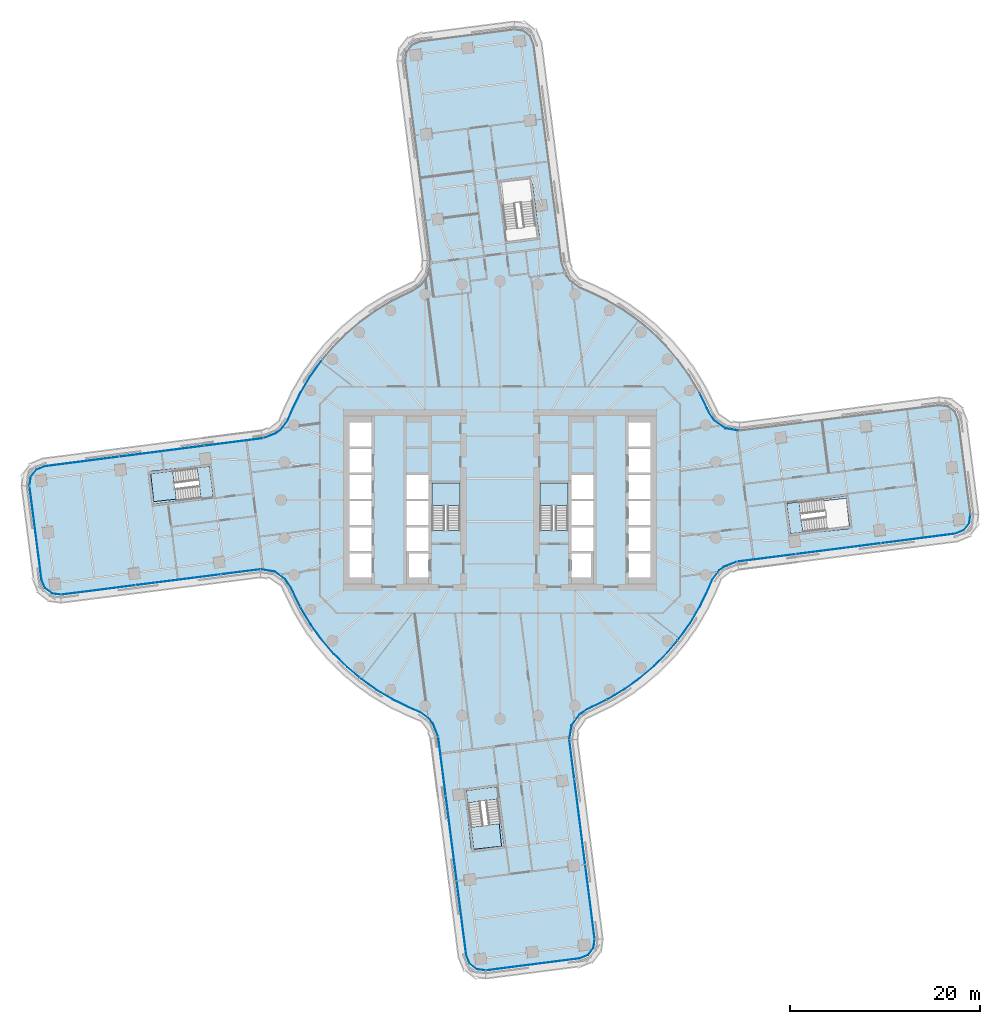
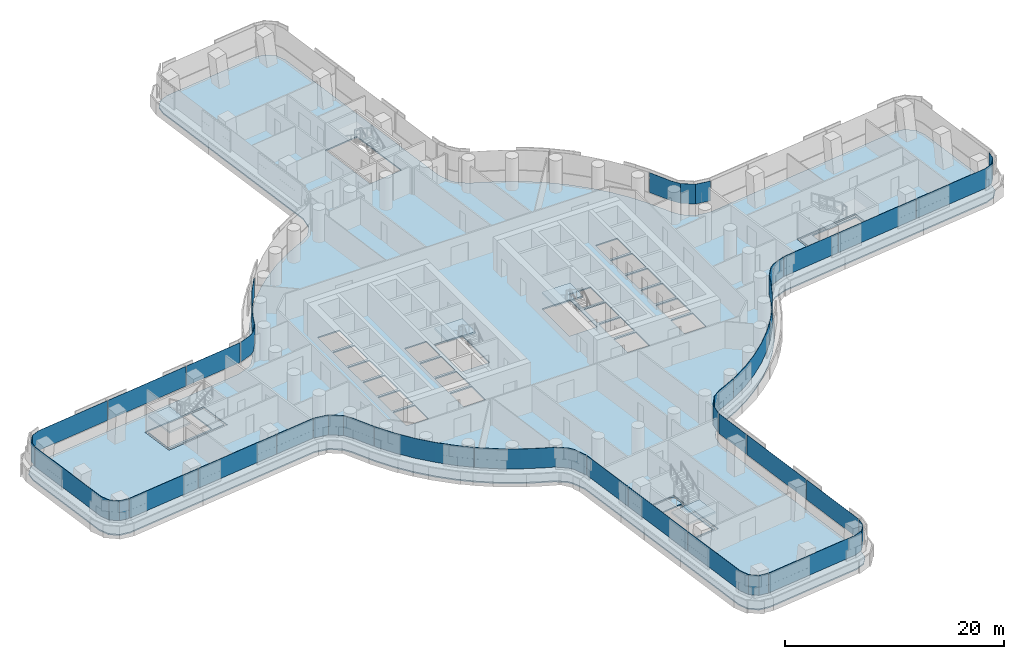
# One storey, part 17 of 31: 25 plates, 8 slabs, 15 elements without a shape of their own.
"""IFC4 building model written with IfcOpenShell, lengths in metres."""

from ifc_helpers import new_model, si_unit, direction, frame, origin, place, context, subcontext, project, spatial, polyline, outline, extrude, material, layer, layer_set, type_object, element, aggregate, save


model = new_model("IFC4")

# Units and contexts
model_context = context("Model", 3, precision=1e-05, world=origin(), true_north=direction((0.0, 1.0)))
body_context = subcontext(model_context, "Body", "Model", "MODEL_VIEW")
ifc_project = project(units=[si_unit("LENGTHUNIT", "METRE"), si_unit("AREAUNIT", "SQUARE_METRE"), si_unit("VOLUMEUNIT", "CUBIC_METRE"), si_unit("PLANEANGLEUNIT", "RADIAN"), si_unit("MASSUNIT", "GRAM", prefix="KILO")], contexts=[model_context])

# Site, building, storey
site_placement = place(None, origin())
site = spatial("IfcSite", under=ifc_project, at=site_placement, CompositionType="ELEMENT")
building_placement = place(site_placement, origin())
building = spatial("IfcBuilding", under=site, at=building_placement, Name="Tamarind Cross Interchange Tower", CompositionType="ELEMENT")
storey_placement = place(building_placement, frame((0.0, 0.0, 60.25)))
storey = spatial("IfcBuildingStorey", under=building, at=storey_placement, Name="L13", CompositionType="ELEMENT", Elevation=60.25)

# Slabs
ifc_material_1 = material(Name="Concrete C35", Category="concrete")
ifc_layer_1 = layer(ifc_material_1, 0.139892578125)
ifc_layer_set_1 = layer_set([ifc_layer_1], Name="Concrete C35")
slab_type_1 = type_object("IfcSlabType", Name="Composite slab 140 Concrete C35", PredefinedType="FLOOR", material=ifc_layer_set_1)
slab_1_placement = place(storey_placement, frame((0.0, 0.0, -0.139892578125)))
element("IfcSlab", 1, at=slab_1_placement, inside=storey, type_object=slab_type_1, Name="Floor slab L13", PredefinedType="FLOOR", context=body_context, shape_type="SweptSolid", body=[
    extrude(outline(polyline([(-23.587890625, 7.205322265625), (-24.937255859375, 6.680419921875), (-47.89501953125, 3.73388671875), (-48.852783203125, 3.3408203125), (-49.485595703125, 2.521484375), (-49.624267578125, 1.49560546875), (-48.351318359375, -8.423095703125), (-47.9580078125, -9.380859375), (-47.138916015625, -10.013671875), (-46.11279296875, -10.152099609375), (-25.154052734375, -7.48681640625), (-23.763427734375, -7.71240234375), (-22.69873046875, -8.45458984375), (-22.1494140625, -9.269775390625), (-21.93310546875, -9.7333984375), (-21.054443359375, -11.511474609375), (-20.031982421875, -13.2109375), (-18.87255859375, -14.820068359375), (-17.584228515625, -16.327880859375), (-16.17578125, -17.72412109375), (-14.656982421875, -18.99951171875), (-13.0380859375, -20.14501953125), (-11.329833984375, -21.15283203125), (-9.54443359375, -22.01611328125), (-8.47509765625, -22.471435546875), (-7.525146484375, -23.178466796875), (-7.205322265625, -23.587890625), (-6.680419921875, -24.937255859375), (-3.73388671875, -47.89501953125), (-3.3408203125, -48.852783203125), (-2.521484375, -49.485595703125), (-1.49560546875, -49.624267578125), (8.423095703125, -48.351318359375), (9.380859375, -47.9580078125), (10.013671875, -47.138916015625), (10.152099609375, -46.11279296875), (7.48681640625, -25.154052734375), (7.71240234375, -23.763427734375), (8.45458984375, -22.69873046875), (9.269775390625, -22.1494140625), (9.7333984375, -21.93310546875), (11.511474609375, -21.054443359375), (13.2109375, -20.031982421875), (14.820068359375, -18.87255859375), (16.327880859375, -17.584228515625), (17.72412109375, -16.17578125), (18.99951171875, -14.656982421875), (20.14501953125, -13.0380859375), (21.15283203125, -11.329833984375), (22.01611328125, -9.54443359375), (22.471435546875, -8.47509765625), (23.178466796875, -7.525146484375), (23.587890625, -7.205322265625), (24.937255859375, -6.680419921875), (47.89501953125, -3.73388671875), (48.852783203125, -3.3408203125), (49.485595703125, -2.521484375), (49.624267578125, -1.49560546875), (48.351318359375, 8.423095703125), (47.9580078125, 9.380859375), (47.138916015625, 10.013671875), (46.11279296875, 10.152099609375), (25.154052734375, 7.48681640625), (23.763427734375, 7.71240234375), (22.69873046875, 8.45458984375), (22.1494140625, 9.269775390625), (21.93310546875, 9.7333984375), (21.054443359375, 11.511474609375), (20.031982421875, 13.2109375), (18.87255859375, 14.820068359375), (17.584228515625, 16.327880859375), (16.17578125, 17.72412109375), (14.656982421875, 18.99951171875), (13.0380859375, 20.14501953125), (11.329833984375, 21.15283203125), (9.54443359375, 22.01611328125), (8.47509765625, 22.471435546875), (7.525146484375, 23.178466796875), (7.205322265625, 23.587890625), (6.680419921875, 24.937255859375), (3.73388671875, 47.89501953125), (3.3408203125, 48.852783203125), (2.521484375, 49.485595703125), (1.49560546875, 49.624267578125), (-8.423095703125, 48.351318359375), (-9.380859375, 47.9580078125), (-10.013671875, 47.138916015625), (-10.152099609375, 46.11279296875), (-7.48681640625, 25.154052734375), (-7.71240234375, 23.763427734375), (-8.45458984375, 22.69873046875), (-9.269775390625, 22.1494140625), (-9.7333984375, 21.93310546875), (-11.511474609375, 21.054443359375), (-13.2109375, 20.031982421875), (-14.820068359375, 18.87255859375), (-16.327880859375, 17.584228515625), (-17.72412109375, 16.17578125), (-18.99951171875, 14.656982421875), (-20.14501953125, 13.0380859375), (-21.15283203125, 11.329833984375), (-22.01611328125, 9.54443359375), (-22.471435546875, 8.47509765625), (-23.178466796875, 7.525146484375), (-23.587890625, 7.205322265625)]), holes=[polyline([(-13.5, -8.125), (-15.800048828125, -8.125), (-15.800048828125, -5.625), (-13.5, -5.625), (-13.5, -8.125)]), polyline([(-13.5, -5.375), (-15.800048828125, -5.375), (-15.800048828125, -2.875), (-13.5, -2.875), (-13.5, -5.375)]), polyline([(-7.5, -5.375), (-9.800048828125, -5.375), (-9.800048828125, -2.875), (-7.5, -2.875), (-7.5, -5.375)]), polyline([(-15.800048828125, -2.625), (-15.800048828125, -0.125), (-13.5, -0.125), (-13.5, -2.625), (-15.800048828125, -2.625)]), polyline([(-9.800048828125, -2.625), (-9.800048828125, -0.125), (-7.5, -0.125), (-7.5, -2.625), (-9.800048828125, -2.625)]), polyline([(-29.889404296875, 0.197265625), (-36.534912109375, -0.655517578125), (-36.560302734375, -0.457275390625), (-36.967529296875, 2.716796875), (-36.9931640625, 2.9150390625), (-36.710205078125, 2.951416015625), (-36.716796875, 3.010986328125), (-33.44677734375, 3.3701171875), (-30.34765625, 3.76806640625), (-30.322021484375, 3.569580078125), (-29.914794921875, 0.395751953125), (-29.889404296875, 0.197265625)]), polyline([(-13.5, 0.125), (-15.800048828125, 0.125), (-15.800048828125, 2.625), (-13.5, 2.625), (-13.5, 0.125)]), polyline([(-9.800048828125, 0.125), (-9.800048828125, 2.625), (-7.5, 2.625), (-7.5, 0.125), (-9.800048828125, 0.125)]), polyline([(-13.5, 2.875), (-15.800048828125, 2.875), (-15.800048828125, 5.375), (-13.5, 5.375), (-13.5, 2.875)]), polyline([(-15.800048828125, 5.625), (-15.800048828125, 8.125), (-13.5, 8.125), (-13.5, 5.625), (-15.800048828125, 5.625)]), polyline([(-0.197265625, -29.889404296875), (0.655517578125, -36.534912109375), (0.457275390625, -36.560302734375), (-2.716796875, -36.967529296875), (-2.9150390625, -36.9931640625), (-2.951416015625, -36.710205078125), (-3.010986328125, -36.716796875), (-3.3701171875, -33.44677734375), (-3.76806640625, -30.34765625), (-3.569580078125, -30.322021484375), (-0.395751953125, -29.914794921875), (-0.197265625, -29.889404296875)]), polyline([(-9.800048828125, -8.125), (-9.800048828125, -5.625), (-7.5, -5.625), (-7.5, -8.125), (-9.800048828125, -8.125)]), polyline([(9.800048828125, -2.875), (9.800048828125, -5.375), (7.5, -5.375), (7.5, -2.875), (9.800048828125, -2.875)]), polyline([(-4.199951171875, 1.800048828125), (-4.199951171875, -3.18798828125), (-7.14990234375, -3.18798828125), (-7.14990234375, 1.800048828125), (-4.199951171875, 1.800048828125)]), polyline([(7.14990234375, 1.800048828125), (7.14990234375, -3.18798828125), (4.199951171875, -3.18798828125), (4.199951171875, 1.800048828125), (7.14990234375, 1.800048828125)]), polyline([(4.14990234375, 27.3720703125), (3.951416015625, 27.346435546875), (0.777587890625, 26.939208984375), (0.5791015625, 26.913818359375), (-0.273681640625, 33.55908203125), (-0.0751953125, 33.584716796875), (3.0986328125, 33.991943359375), (3.297119140625, 34.017578125), (3.33349609375, 33.734130859375), (3.338623046875, 33.734619140625), (3.3701171875, 33.44677734375), (4.14990234375, 27.3720703125)]), polyline([(7.5, -5.625), (9.800048828125, -5.625), (9.800048828125, -8.125), (7.5, -8.125), (7.5, -5.625)]), polyline([(15.800048828125, -5.625), (15.800048828125, -8.125), (13.5, -8.125), (13.5, -5.625), (15.800048828125, -5.625)]), polyline([(15.800048828125, -2.875), (15.800048828125, -5.375), (13.5, -5.375), (13.5, -2.875), (15.800048828125, -2.875)]), polyline([(30.34765625, -3.76806640625), (30.322021484375, -3.569580078125), (29.914794921875, -0.395751953125), (29.889404296875, -0.197265625), (36.534912109375, 0.655517578125), (36.560302734375, 0.457275390625), (36.967529296875, -2.716796875), (36.9931640625, -2.9150390625), (36.710205078125, -2.951416015625), (36.716796875, -3.010986328125), (33.44677734375, -3.3701171875), (30.34765625, -3.76806640625)]), polyline([(9.800048828125, -0.125), (9.800048828125, -2.625), (7.5, -2.625), (7.5, -0.125), (9.800048828125, -0.125)]), polyline([(15.800048828125, -0.125), (15.800048828125, -2.625), (13.5, -2.625), (13.5, -0.125), (15.800048828125, -0.125)]), polyline([(9.800048828125, 2.625), (9.800048828125, 0.125), (7.5, 0.125), (7.5, 2.625), (9.800048828125, 2.625)]), polyline([(13.5, 2.625), (15.800048828125, 2.625), (15.800048828125, 0.125), (13.5, 0.125), (13.5, 2.625)]), polyline([(15.800048828125, 5.375), (15.800048828125, 2.875), (13.5, 2.875), (13.5, 5.375), (15.800048828125, 5.375)]), polyline([(15.800048828125, 8.125), (15.800048828125, 5.625), (13.5, 5.625), (13.5, 8.125), (15.800048828125, 8.125)])]), origin(), (0.0, 0.0, 1.0), 0.139892578125),
])
slab_2_placement = place(storey_placement, frame((0.0, 0.0, -0.139892578125)))
element("IfcSlab", 2, at=slab_2_placement, inside=storey, type_object=slab_type_1, Name="Floor slab L13", PredefinedType="FLOOR", context=body_context, shape_type="SweptSolid", body=[
    extrude(outline(polyline([(-36.769287109375, 2.7421875), (-36.36181640625, -0.431884765625), (-30.113037109375, 0.3701171875), (-30.5205078125, 3.544189453125), (-31.82177734375, 3.377197265625), (-31.43603515625, 0.371826171875), (-36.367431640625, -0.169921875), (-36.6884765625, 2.752685546875), (-36.769287109375, 2.7421875)])), origin(), (0.0, 0.0, 1.0), 0.139892578125),
])
slab_3_placement = place(storey_placement, frame((0.0, 0.0, -0.139892578125)))
element("IfcSlab", 3, at=slab_3_placement, inside=storey, type_object=slab_type_1, Name="Floor slab L13", PredefinedType="FLOOR", context=body_context, shape_type="SweptSolid", body=[
    extrude(outline(polyline([(-2.7421875, -36.769287109375), (0.431884765625, -36.36181640625), (-0.3701171875, -30.113037109375), (-3.544189453125, -30.5205078125), (-3.377197265625, -31.82177734375), (-0.371826171875, -31.43603515625), (0.169921875, -36.367431640625), (-2.752685546875, -36.6884765625), (-2.7421875, -36.769287109375)])), origin(), (0.0, 0.0, 1.0), 0.139892578125),
])
slab_4_placement = place(storey_placement, frame((0.0, 0.0, -0.139892578125)))
element("IfcSlab", 4, at=slab_4_placement, inside=storey, type_object=slab_type_1, Name="Floor slab L13", PredefinedType="FLOOR", context=body_context, shape_type="SweptSolid", body=[
    extrude(outline(polyline([(36.769287109375, -2.7421875), (36.36181640625, 0.431884765625), (30.113037109375, -0.3701171875), (30.5205078125, -3.544189453125), (31.82177734375, -3.377197265625), (31.43603515625, -0.371826171875), (36.367431640625, 0.169921875), (36.6884765625, -2.752685546875), (36.769287109375, -2.7421875)])), origin(), (0.0, 0.0, 1.0), 0.139892578125),
])

# Stair, slab
ifc_material_2 = material(Name="Exit stair")
stair_type = type_object("IfcStairType", Name="Exit stair", PredefinedType="HALF_TURN_STAIR", material=ifc_material_2)
stair_1_placement = place(storey_placement, origin())
stair_1 = element("IfcStair", 5, at=stair_1_placement, inside=storey, type_object=stair_type, Name="L13 exit stair ST1", PredefinedType="HALF_TURN_STAIR")
ifc_material_3 = material(Name="Concrete C40", Category="concrete")
ifc_layer_2 = layer(ifc_material_3, 0.199951171875)
ifc_layer_set_2 = layer_set([ifc_layer_2], Name="Concrete C40")
slab_type_2 = type_object("IfcSlabType", Name="Stair landing", PredefinedType="LANDING", material=ifc_layer_set_2)
slab_5_placement = place(storey_placement, frame((0.0, 0.0, 1.675048828125)))
slab_5 = element("IfcSlab", 6, at=slab_5_placement, type_object=slab_type_2, Name="ST1 landing 1", PredefinedType="LANDING", context=body_context, shape_type="SweptSolid", body=[
    extrude(outline(polyline([(-4.199951171875, -0.60009765625), (-4.199951171875, 1.800048828125), (-7.14990234375, 1.800048828125), (-7.14990234375, -0.60009765625), (-4.199951171875, -0.60009765625)])), origin(), (0.0, 0.0, 1.0), 0.199951171875),
])
aggregate(stair_1, [slab_5])

stair_2_placement = place(storey_placement, origin())
stair_2 = element("IfcStair", 7, at=stair_2_placement, inside=storey, type_object=stair_type, Name="L13 exit stair ST2", PredefinedType="HALF_TURN_STAIR")
slab_6_placement = place(storey_placement, frame((0.0, 0.0, 1.675048828125)))
slab_6 = element("IfcSlab", 8, at=slab_6_placement, type_object=slab_type_2, Name="ST2 landing 1", PredefinedType="LANDING", context=body_context, shape_type="SweptSolid", body=[
    extrude(outline(polyline([(7.14990234375, -0.60009765625), (7.14990234375, 1.800048828125), (4.199951171875, 1.800048828125), (4.199951171875, -0.60009765625), (7.14990234375, -0.60009765625)])), origin(), (0.0, 0.0, 1.0), 0.199951171875),
])
aggregate(stair_2, [slab_6])

stair_3_placement = place(storey_placement, origin())
stair_3 = element("IfcStair", 9, at=stair_3_placement, inside=storey, type_object=stair_type, Name="L13 exit stair ST5", PredefinedType="HALF_TURN_STAIR")
slab_7_placement = place(storey_placement, frame((0.0, 0.0, 1.675048828125)))
slab_7 = element("IfcSlab", 10, at=slab_7_placement, type_object=slab_type_2, Name="ST5 landing 1", PredefinedType="LANDING", context=body_context, shape_type="SweptSolid", body=[
    extrude(outline(polyline([(-34.376953125, 3.04931640625), (-36.769287109375, 2.7421875), (-36.36181640625, -0.431884765625), (-33.969482421875, -0.124755859375), (-34.376953125, 3.04931640625)])), origin(), (0.0, 0.0, 1.0), 0.199951171875),
])
aggregate(stair_3, [slab_7])

stair_4_placement = place(storey_placement, origin())
stair_4 = element("IfcStair", 11, at=stair_4_placement, inside=storey, type_object=stair_type, Name="L13 exit stair ST6", PredefinedType="HALF_TURN_STAIR")
slab_8_placement = place(storey_placement, frame((0.0, 0.0, 1.675048828125)))
slab_8 = element("IfcSlab", 12, at=slab_8_placement, type_object=slab_type_2, Name="ST6 landing 1", PredefinedType="LANDING", context=body_context, shape_type="SweptSolid", body=[
    extrude(outline(polyline([(-3.04931640625, -34.376953125), (-2.7421875, -36.769287109375), (0.431884765625, -36.36181640625), (0.124755859375, -33.969482421875), (-3.04931640625, -34.376953125)])), origin(), (0.0, 0.0, 1.0), 0.199951171875),
])
aggregate(stair_4, [slab_8])

# Curtain wall, plate
ifc_material_4 = material(Name="Aluminium 6063-T6", Category="aluminium")
ifc_layer_3 = layer(ifc_material_4, 0.159912109375)
ifc_layer_set_3 = layer_set([ifc_layer_3], Name="Aluminium 6063-T6")
curtain_wall_type = type_object("IfcCurtainWallType", Name="Office curtain wall, 9.0 m bays", PredefinedType="NOTDEFINED", material=ifc_layer_set_3)
curtain_wall_1_placement = place(storey_placement, origin())
curtain_wall_1 = element("IfcCurtainWall", 13, at=curtain_wall_1_placement, inside=storey, type_object=curtain_wall_type, Name="CWS-L13-00", PredefinedType="NOTDEFINED")
ifc_material_5 = material(Name="Laminated low-e glass 8+1.52+8", Category="glass")
ifc_layer_4 = layer(ifc_material_5, 0.028076171875)
ifc_layer_set_4 = layer_set([ifc_layer_4], Name="Laminated low-e glass 8+1.52+8")
plate_type = type_object("IfcPlateType", Name="Vision panel CW1", PredefinedType="CURTAIN_PANEL", material=ifc_layer_set_4)
plate_1_placement = place(storey_placement, frame((0.0, 0.0, 1.39990234375)))
plate_1 = element("IfcPlate", 14, at=plate_1_placement, type_object=plate_type, Name="CWP-L13-00-00", PredefinedType="CURTAIN_PANEL", context=body_context, shape_type="SweptSolid", body=[
    extrude(outline(polyline([(-49.40478515625, 1.467041015625), (-48.142578125, -8.367919921875), (-47.781982421875, -9.24658203125), (-47.053466796875, -9.809326171875), (-46.139892578125, -9.9326171875), (-46.143798828125, -9.960205078125), (-47.064453125, -9.8359375), (-47.804931640625, -9.26416015625), (-48.169921875, -8.375), (-49.4326171875, 1.46337890625), (-49.40478515625, 1.467041015625)])), origin(), (0.0, 0.0, 1.0), 2.210205078125),
])
aggregate(curtain_wall_1, [plate_1])

# Curtain wall, plates
curtain_wall_2_placement = place(storey_placement, origin())
curtain_wall_2 = element("IfcCurtainWall", 15, at=curtain_wall_2_placement, inside=storey, type_object=curtain_wall_type, Name="CWS-L13-01", PredefinedType="NOTDEFINED")
plate_2_placement = place(storey_placement, frame((0.0, 0.0, 1.39990234375)))
plate_2 = element("IfcPlate", 16, at=plate_2_placement, type_object=plate_type, Name="CWP-L13-01-00", PredefinedType="CURTAIN_PANEL", context=body_context, shape_type="SweptSolid", body=[
    extrude(outline(polyline([(-46.083984375, -9.932861328125), (-38.296875, -8.9423828125), (-38.293212890625, -8.97021484375), (-46.08056640625, -9.96044921875), (-46.083984375, -9.932861328125)])), origin(), (0.0, 0.0, 1.0), 2.210205078125),
])
plate_3_placement = place(storey_placement, frame((0.0, 0.0, 1.39990234375)))
plate_3 = element("IfcPlate", 17, at=plate_3_placement, type_object=plate_type, Name="CWP-L13-01-01", PredefinedType="CURTAIN_PANEL", context=body_context, shape_type="SweptSolid", body=[
    extrude(outline(polyline([(-38.2373046875, -8.934814453125), (-29.36767578125, -7.806884765625), (-29.364013671875, -7.834716796875), (-38.233642578125, -8.962646484375), (-38.2373046875, -8.934814453125)])), origin(), (0.0, 0.0, 1.0), 2.210205078125),
])
plate_4_placement = place(storey_placement, frame((0.0, 0.0, 1.39990234375)))
plate_4 = element("IfcPlate", 18, at=plate_4_placement, type_object=plate_type, Name="CWP-L13-01-02", PredefinedType="CURTAIN_PANEL", context=body_context, shape_type="SweptSolid", body=[
    extrude(outline(polyline([(-29.30810546875, -7.79931640625), (-25.18212890625, -7.2744140625), (-25.178466796875, -7.30224609375), (-29.304443359375, -7.8271484375), (-29.30810546875, -7.79931640625)])), origin(), (0.0, 0.0, 1.0), 2.210205078125),
])
aggregate(curtain_wall_2, [plate_2, plate_3, plate_4])

curtain_wall_3_placement = place(storey_placement, origin())
curtain_wall_3 = element("IfcCurtainWall", 19, at=curtain_wall_3_placement, inside=storey, type_object=curtain_wall_type, Name="CWS-L13-02", PredefinedType="NOTDEFINED")
plate_5_placement = place(storey_placement, frame((0.0, 0.0, 1.39990234375)))
plate_5 = element("IfcPlate", 20, at=plate_5_placement, type_object=plate_type, Name="CWP-L13-02-00", PredefinedType="CURTAIN_PANEL", context=body_context, shape_type="SweptSolid", body=[
    extrude(outline(polyline([(-25.11865234375, -7.275634765625), (-23.680908203125, -7.509033203125), (-22.543701171875, -8.3017578125), (-21.96240234375, -9.1640625), (-21.740234375, -9.640869140625), (-20.97509765625, -11.189208984375), (-21.000244140625, -11.201416015625), (-21.765380859375, -9.653076171875), (-21.987060546875, -9.177734375), (-22.56396484375, -8.32177734375), (-23.69189453125, -7.53564453125), (-25.123291015625, -7.30322265625), (-25.11865234375, -7.275634765625)])), origin(), (0.0, 0.0, 1.0), 2.210205078125),
])
plate_6_placement = place(storey_placement, frame((0.0, 0.0, 1.39990234375)))
plate_6 = element("IfcPlate", 21, at=plate_6_placement, type_object=plate_type, Name="CWP-L13-02-01", PredefinedType="CURTAIN_PANEL", context=body_context, shape_type="SweptSolid", body=[
    extrude(outline(polyline([(-20.948486328125, -11.242919921875), (-20.866455078125, -11.40869140625), (-19.85302734375, -13.093017578125), (-18.7041015625, -14.687744140625), (-17.42724609375, -16.18212890625), (-16.031494140625, -17.56591796875), (-14.757568359375, -18.635498046875), (-14.775634765625, -18.656982421875), (-16.05029296875, -17.586669921875), (-17.44775390625, -16.201171875), (-18.72607421875, -14.705078125), (-19.87646484375, -13.1083984375), (-20.89111328125, -11.422119140625), (-20.9736328125, -11.25537109375), (-20.948486328125, -11.242919921875)])), origin(), (0.0, 0.0, 1.0), 2.210205078125),
])
plate_7_placement = place(storey_placement, frame((0.0, 0.0, 1.39990234375)))
plate_7 = element("IfcPlate", 22, at=plate_7_placement, type_object=plate_type, Name="CWP-L13-02-02", PredefinedType="CURTAIN_PANEL", context=body_context, shape_type="SweptSolid", body=[
    extrude(outline(polyline([(-14.711669921875, -18.674072265625), (-14.526123046875, -18.829833984375), (-12.921630859375, -19.965087890625), (-11.228759765625, -20.9638671875), (-9.455810546875, -21.8212890625), (-8.36767578125, -22.28466796875), (-7.374267578125, -23.02392578125), (-7.017333984375, -23.48095703125), (-6.48291015625, -24.8544921875), (-6.509033203125, -24.86474609375), (-7.041748046875, -23.494873046875), (-7.39404296875, -23.044189453125), (-8.3818359375, -22.30908203125), (-9.467529296875, -21.8466796875), (-11.241943359375, -20.98876953125), (-12.936767578125, -19.988525390625), (-14.543212890625, -18.85205078125), (-14.729736328125, -18.695556640625), (-14.711669921875, -18.674072265625)])), origin(), (0.0, 0.0, 1.0), 2.210205078125),
])
aggregate(curtain_wall_3, [plate_5, plate_6, plate_7])

curtain_wall_4_placement = place(storey_placement, origin())
curtain_wall_4 = element("IfcCurtainWall", 23, at=curtain_wall_4_placement, inside=storey, type_object=curtain_wall_type, Name="CWS-L13-03", PredefinedType="NOTDEFINED")
plate_8_placement = place(storey_placement, frame((0.0, 0.0, 1.39990234375)))
plate_8 = element("IfcPlate", 24, at=plate_8_placement, type_object=plate_type, Name="CWP-L13-03-00", PredefinedType="CURTAIN_PANEL", context=body_context, shape_type="SweptSolid", body=[
    extrude(outline(polyline([(-6.467529296875, -24.91552734375), (-5.68115234375, -31.041748046875), (-5.708984375, -31.04541015625), (-6.4951171875, -24.919189453125), (-6.467529296875, -24.91552734375)])), origin(), (0.0, 0.0, 1.0), 2.210205078125),
])
plate_9_placement = place(storey_placement, frame((0.0, 0.0, 1.39990234375)))
plate_9 = element("IfcPlate", 25, at=plate_9_placement, type_object=plate_type, Name="CWP-L13-03-01", PredefinedType="CURTAIN_PANEL", context=body_context, shape_type="SweptSolid", body=[
    extrude(outline(polyline([(-5.673583984375, -31.101318359375), (-4.53564453125, -39.9677734375), (-4.5634765625, -39.971435546875), (-5.701416015625, -31.10498046875), (-5.673583984375, -31.101318359375)])), origin(), (0.0, 0.0, 1.0), 2.210205078125),
])
plate_10_placement = place(storey_placement, frame((0.0, 0.0, 1.39990234375)))
plate_10 = element("IfcPlate", 26, at=plate_10_placement, type_object=plate_type, Name="CWP-L13-03-02", PredefinedType="CURTAIN_PANEL", context=body_context, shape_type="SweptSolid", body=[
    extrude(outline(polyline([(-4.52783203125, -40.02734375), (-3.525146484375, -47.83984375), (-3.16455078125, -48.718505859375), (-2.43603515625, -49.28125), (-1.522705078125, -49.404541015625), (-1.526611328125, -49.432373046875), (-2.447265625, -49.30810546875), (-3.187744140625, -48.736083984375), (-3.552490234375, -47.84716796875), (-4.5556640625, -40.031005859375), (-4.52783203125, -40.02734375)])), origin(), (0.0, 0.0, 1.0), 2.210205078125),
])
aggregate(curtain_wall_4, [plate_8, plate_9, plate_10])

# Curtain wall, plate
curtain_wall_5_placement = place(storey_placement, origin())
curtain_wall_5 = element("IfcCurtainWall", 27, at=curtain_wall_5_placement, inside=storey, type_object=curtain_wall_type, Name="CWS-L13-04", PredefinedType="NOTDEFINED")
plate_11_placement = place(storey_placement, frame((0.0, 0.0, 1.39990234375)))
plate_11 = element("IfcPlate", 28, at=plate_11_placement, type_object=plate_type, Name="CWP-L13-04-00", PredefinedType="CURTAIN_PANEL", context=body_context, shape_type="SweptSolid", body=[
    extrude(outline(polyline([(-1.467041015625, -49.40478515625), (8.367919921875, -48.142578125), (9.24658203125, -47.781982421875), (9.809326171875, -47.053466796875), (9.9326171875, -46.139892578125), (9.960205078125, -46.143798828125), (9.8359375, -47.064453125), (9.26416015625, -47.804931640625), (8.375, -48.169921875), (-1.46337890625, -49.4326171875), (-1.467041015625, -49.40478515625)])), origin(), (0.0, 0.0, 1.0), 2.210205078125),
])
aggregate(curtain_wall_5, [plate_11])

# Curtain wall, plates
curtain_wall_6_placement = place(storey_placement, origin())
curtain_wall_6 = element("IfcCurtainWall", 29, at=curtain_wall_6_placement, inside=storey, type_object=curtain_wall_type, Name="CWS-L13-05", PredefinedType="NOTDEFINED")
plate_12_placement = place(storey_placement, frame((0.0, 0.0, 1.39990234375)))
plate_12 = element("IfcPlate", 30, at=plate_12_placement, type_object=plate_type, Name="CWP-L13-05-00", PredefinedType="CURTAIN_PANEL", context=body_context, shape_type="SweptSolid", body=[
    extrude(outline(polyline([(9.932861328125, -46.083984375), (8.9423828125, -38.296875), (8.97021484375, -38.293212890625), (9.96044921875, -46.08056640625), (9.932861328125, -46.083984375)])), origin(), (0.0, 0.0, 1.0), 2.210205078125),
])
plate_13_placement = place(storey_placement, frame((0.0, 0.0, 1.39990234375)))
plate_13 = element("IfcPlate", 31, at=plate_13_placement, type_object=plate_type, Name="CWP-L13-05-01", PredefinedType="CURTAIN_PANEL", context=body_context, shape_type="SweptSolid", body=[
    extrude(outline(polyline([(8.934814453125, -38.2373046875), (7.806884765625, -29.36767578125), (7.834716796875, -29.364013671875), (8.962646484375, -38.233642578125), (8.934814453125, -38.2373046875)])), origin(), (0.0, 0.0, 1.0), 2.210205078125),
])
plate_14_placement = place(storey_placement, frame((0.0, 0.0, 1.39990234375)))
plate_14 = element("IfcPlate", 32, at=plate_14_placement, type_object=plate_type, Name="CWP-L13-05-02", PredefinedType="CURTAIN_PANEL", context=body_context, shape_type="SweptSolid", body=[
    extrude(outline(polyline([(7.79931640625, -29.30810546875), (7.2744140625, -25.18212890625), (7.30224609375, -25.178466796875), (7.8271484375, -29.304443359375), (7.79931640625, -29.30810546875)])), origin(), (0.0, 0.0, 1.0), 2.210205078125),
])
aggregate(curtain_wall_6, [plate_12, plate_13, plate_14])

curtain_wall_7_placement = place(storey_placement, origin())
curtain_wall_7 = element("IfcCurtainWall", 33, at=curtain_wall_7_placement, inside=storey, type_object=curtain_wall_type, Name="CWS-L13-06", PredefinedType="NOTDEFINED")
plate_15_placement = place(storey_placement, frame((0.0, 0.0, 1.39990234375)))
plate_15 = element("IfcPlate", 34, at=plate_15_placement, type_object=plate_type, Name="CWP-L13-06-00", PredefinedType="CURTAIN_PANEL", context=body_context, shape_type="SweptSolid", body=[
    extrude(outline(polyline([(7.275634765625, -25.11865234375), (7.509033203125, -23.680908203125), (8.3017578125, -22.543701171875), (9.1640625, -21.96240234375), (9.640869140625, -21.740234375), (11.189208984375, -20.97509765625), (11.201416015625, -21.000244140625), (9.653076171875, -21.765380859375), (9.177734375, -21.987060546875), (8.32177734375, -22.56396484375), (7.53564453125, -23.69189453125), (7.30322265625, -25.123291015625), (7.275634765625, -25.11865234375)])), origin(), (0.0, 0.0, 1.0), 2.210205078125),
])
plate_16_placement = place(storey_placement, frame((0.0, 0.0, 1.39990234375)))
plate_16 = element("IfcPlate", 35, at=plate_16_placement, type_object=plate_type, Name="CWP-L13-06-01", PredefinedType="CURTAIN_PANEL", context=body_context, shape_type="SweptSolid", body=[
    extrude(outline(polyline([(11.242919921875, -20.948486328125), (11.40869140625, -20.866455078125), (13.093017578125, -19.85302734375), (14.687744140625, -18.7041015625), (16.18212890625, -17.42724609375), (17.56591796875, -16.031494140625), (18.635498046875, -14.757568359375), (18.656982421875, -14.775634765625), (17.586669921875, -16.05029296875), (16.201171875, -17.44775390625), (14.705078125, -18.72607421875), (13.1083984375, -19.87646484375), (11.422119140625, -20.89111328125), (11.25537109375, -20.9736328125), (11.242919921875, -20.948486328125)])), origin(), (0.0, 0.0, 1.0), 2.210205078125),
])
plate_17_placement = place(storey_placement, frame((0.0, 0.0, 1.39990234375)))
plate_17 = element("IfcPlate", 36, at=plate_17_placement, type_object=plate_type, Name="CWP-L13-06-02", PredefinedType="CURTAIN_PANEL", context=body_context, shape_type="SweptSolid", body=[
    extrude(outline(polyline([(18.674072265625, -14.711669921875), (18.829833984375, -14.526123046875), (19.965087890625, -12.921630859375), (20.9638671875, -11.228759765625), (21.8212890625, -9.455810546875), (22.28466796875, -8.36767578125), (23.02392578125, -7.374267578125), (23.48095703125, -7.017333984375), (24.8544921875, -6.48291015625), (24.86474609375, -6.509033203125), (23.494873046875, -7.041748046875), (23.044189453125, -7.39404296875), (22.30908203125, -8.3818359375), (21.8466796875, -9.467529296875), (20.98876953125, -11.241943359375), (19.988525390625, -12.936767578125), (18.85205078125, -14.543212890625), (18.695556640625, -14.729736328125), (18.674072265625, -14.711669921875)])), origin(), (0.0, 0.0, 1.0), 2.210205078125),
])
aggregate(curtain_wall_7, [plate_15, plate_16, plate_17])

curtain_wall_8_placement = place(storey_placement, origin())
curtain_wall_8 = element("IfcCurtainWall", 37, at=curtain_wall_8_placement, inside=storey, type_object=curtain_wall_type, Name="CWS-L13-07", PredefinedType="NOTDEFINED")
plate_18_placement = place(storey_placement, frame((0.0, 0.0, 1.39990234375)))
plate_18 = element("IfcPlate", 38, at=plate_18_placement, type_object=plate_type, Name="CWP-L13-07-00", PredefinedType="CURTAIN_PANEL", context=body_context, shape_type="SweptSolid", body=[
    extrude(outline(polyline([(24.91552734375, -6.467529296875), (31.041748046875, -5.68115234375), (31.04541015625, -5.708984375), (24.919189453125, -6.4951171875), (24.91552734375, -6.467529296875)])), origin(), (0.0, 0.0, 1.0), 2.210205078125),
])
plate_19_placement = place(storey_placement, frame((0.0, 0.0, 1.39990234375)))
plate_19 = element("IfcPlate", 39, at=plate_19_placement, type_object=plate_type, Name="CWP-L13-07-01", PredefinedType="CURTAIN_PANEL", context=body_context, shape_type="SweptSolid", body=[
    extrude(outline(polyline([(31.101318359375, -5.673583984375), (39.9677734375, -4.53564453125), (39.971435546875, -4.5634765625), (31.10498046875, -5.701416015625), (31.101318359375, -5.673583984375)])), origin(), (0.0, 0.0, 1.0), 2.210205078125),
])
plate_20_placement = place(storey_placement, frame((0.0, 0.0, 1.39990234375)))
plate_20 = element("IfcPlate", 40, at=plate_20_placement, type_object=plate_type, Name="CWP-L13-07-02", PredefinedType="CURTAIN_PANEL", context=body_context, shape_type="SweptSolid", body=[
    extrude(outline(polyline([(40.02734375, -4.52783203125), (47.83984375, -3.525146484375), (48.718505859375, -3.16455078125), (49.28125, -2.43603515625), (49.404541015625, -1.522705078125), (49.432373046875, -1.526611328125), (49.30810546875, -2.447265625), (48.736083984375, -3.187744140625), (47.84716796875, -3.552490234375), (40.031005859375, -4.5556640625), (40.02734375, -4.52783203125)])), origin(), (0.0, 0.0, 1.0), 2.210205078125),
])
aggregate(curtain_wall_8, [plate_18, plate_19, plate_20])

# Curtain wall, plate
curtain_wall_9_placement = place(storey_placement, origin())
curtain_wall_9 = element("IfcCurtainWall", 41, at=curtain_wall_9_placement, inside=storey, type_object=curtain_wall_type, Name="CWS-L13-10", PredefinedType="NOTDEFINED")
plate_21_placement = place(storey_placement, frame((0.0, 0.0, 1.39990234375)))
plate_21 = element("IfcPlate", 42, at=plate_21_placement, type_object=plate_type, Name="CWP-L13-10-00", PredefinedType="CURTAIN_PANEL", context=body_context, shape_type="SweptSolid", body=[
    extrude(outline(polyline([(25.11865234375, 7.275634765625), (23.680908203125, 7.509033203125), (22.543701171875, 8.3017578125), (21.96240234375, 9.1640625), (21.740234375, 9.640869140625), (20.97509765625, 11.189208984375), (21.000244140625, 11.201416015625), (21.765380859375, 9.653076171875), (21.987060546875, 9.177734375), (22.56396484375, 8.32177734375), (23.69189453125, 7.53564453125), (25.123291015625, 7.30322265625), (25.11865234375, 7.275634765625)])), origin(), (0.0, 0.0, 1.0), 2.210205078125),
])
aggregate(curtain_wall_9, [plate_21])

curtain_wall_10_placement = place(storey_placement, origin())
curtain_wall_10 = element("IfcCurtainWall", 43, at=curtain_wall_10_placement, inside=storey, type_object=curtain_wall_type, Name="CWS-L13-14", PredefinedType="NOTDEFINED")
plate_22_placement = place(storey_placement, frame((0.0, 0.0, 1.39990234375)))
plate_22 = element("IfcPlate", 44, at=plate_22_placement, type_object=plate_type, Name="CWP-L13-14-02", PredefinedType="CURTAIN_PANEL", context=body_context, shape_type="SweptSolid", body=[
    extrude(outline(polyline([(-18.674072265625, 14.711669921875), (-18.829833984375, 14.526123046875), (-19.965087890625, 12.921630859375), (-20.9638671875, 11.228759765625), (-21.8212890625, 9.455810546875), (-22.28466796875, 8.36767578125), (-23.02392578125, 7.374267578125), (-23.48095703125, 7.017333984375), (-24.8544921875, 6.48291015625), (-24.86474609375, 6.509033203125), (-23.494873046875, 7.041748046875), (-23.044189453125, 7.39404296875), (-22.30908203125, 8.3818359375), (-21.8466796875, 9.467529296875), (-20.98876953125, 11.241943359375), (-19.988525390625, 12.936767578125), (-18.85205078125, 14.543212890625), (-18.695556640625, 14.729736328125), (-18.674072265625, 14.711669921875)])), origin(), (0.0, 0.0, 1.0), 2.210205078125),
])
aggregate(curtain_wall_10, [plate_22])

# Curtain wall, plates
curtain_wall_11_placement = place(storey_placement, origin())
curtain_wall_11 = element("IfcCurtainWall", 45, at=curtain_wall_11_placement, inside=storey, type_object=curtain_wall_type, Name="CWS-L13-15", PredefinedType="NOTDEFINED")
plate_23_placement = place(storey_placement, frame((0.0, 0.0, 1.39990234375)))
plate_23 = element("IfcPlate", 46, at=plate_23_placement, type_object=plate_type, Name="CWP-L13-15-00", PredefinedType="CURTAIN_PANEL", context=body_context, shape_type="SweptSolid", body=[
    extrude(outline(polyline([(-24.91552734375, 6.467529296875), (-31.041748046875, 5.68115234375), (-31.04541015625, 5.708984375), (-24.919189453125, 6.4951171875), (-24.91552734375, 6.467529296875)])), origin(), (0.0, 0.0, 1.0), 2.210205078125),
])
plate_24_placement = place(storey_placement, frame((0.0, 0.0, 1.39990234375)))
plate_24 = element("IfcPlate", 47, at=plate_24_placement, type_object=plate_type, Name="CWP-L13-15-01", PredefinedType="CURTAIN_PANEL", context=body_context, shape_type="SweptSolid", body=[
    extrude(outline(polyline([(-31.101318359375, 5.673583984375), (-39.9677734375, 4.53564453125), (-39.971435546875, 4.5634765625), (-31.10498046875, 5.701416015625), (-31.101318359375, 5.673583984375)])), origin(), (0.0, 0.0, 1.0), 2.210205078125),
])
plate_25_placement = place(storey_placement, frame((0.0, 0.0, 1.39990234375)))
plate_25 = element("IfcPlate", 48, at=plate_25_placement, type_object=plate_type, Name="CWP-L13-15-02", PredefinedType="CURTAIN_PANEL", context=body_context, shape_type="SweptSolid", body=[
    extrude(outline(polyline([(-40.02734375, 4.52783203125), (-47.83984375, 3.525146484375), (-48.718505859375, 3.16455078125), (-49.28125, 2.43603515625), (-49.404541015625, 1.522705078125), (-49.432373046875, 1.526611328125), (-49.30810546875, 2.447265625), (-48.736083984375, 3.187744140625), (-47.84716796875, 3.552490234375), (-40.031005859375, 4.5556640625), (-40.02734375, 4.52783203125)])), origin(), (0.0, 0.0, 1.0), 2.210205078125),
])
aggregate(curtain_wall_11, [plate_23, plate_24, plate_25])

save(model, "model.ifc")
